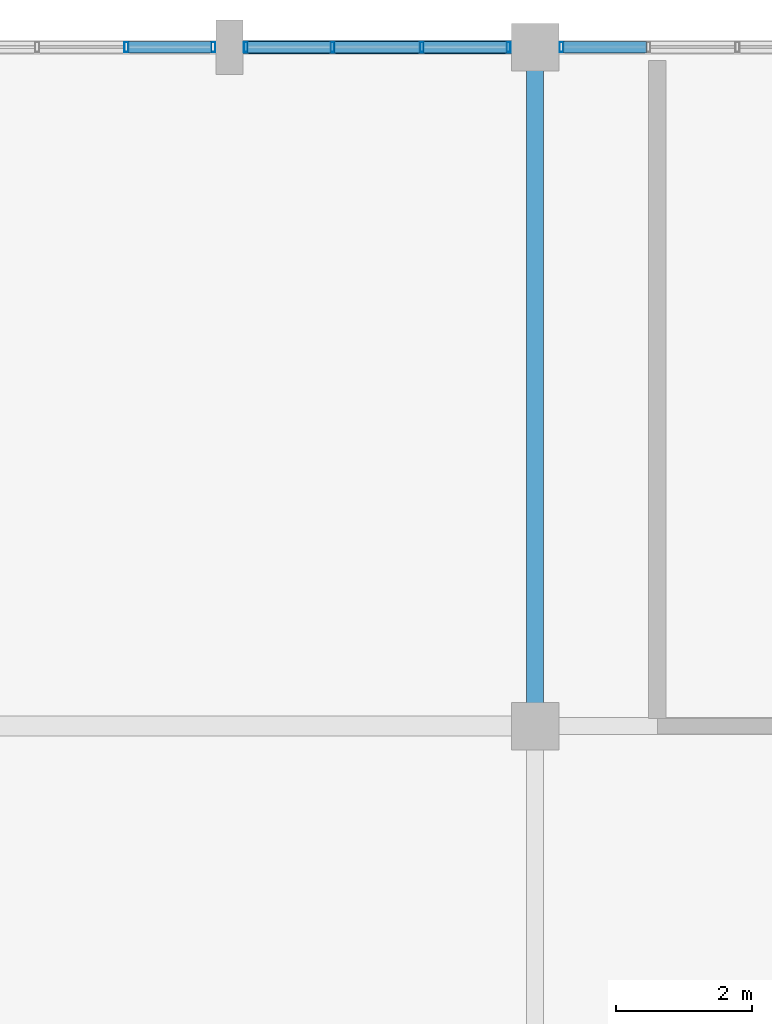
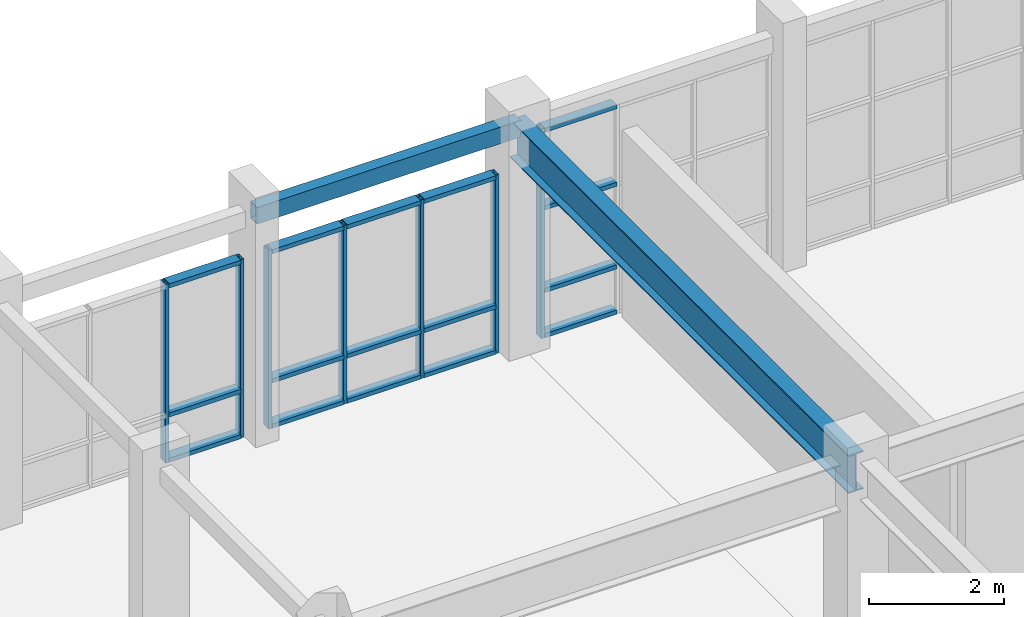
# One storey, part 30 of 55: 23 members, 2 beams, 3 elements without a shape of their own.
"""IFC4 building model written with IfcOpenShell, lengths in metres."""

from ifc_helpers import new_model, si_unit, direction, frame, origin, origin_2d, place, context, subcontext, project, spatial, hollow_rectangle, i_section, extrude, material, layer, layer_set, material_profile, profile_set, type_object, element, aggregate, save


model = new_model("IFC4")

# Units and contexts
model_context = context("Model", 3, precision=1e-05, world=origin(), true_north=direction((0.0, 1.0)))
body_context = subcontext(model_context, "Body", "Model", "MODEL_VIEW")
ifc_project = project(units=[si_unit("LENGTHUNIT", "METRE"), si_unit("AREAUNIT", "SQUARE_METRE"), si_unit("VOLUMEUNIT", "CUBIC_METRE"), si_unit("PLANEANGLEUNIT", "RADIAN"), si_unit("MASSUNIT", "GRAM", prefix="KILO")], contexts=[model_context])

# Site, building, storey
site_placement = place(None, origin())
site = spatial("IfcSite", under=ifc_project, at=site_placement, CompositionType="ELEMENT")
building_placement = place(site_placement, origin())
building = spatial("IfcBuilding", under=site, at=building_placement, Name="Ventoquebrada Cableway Terminal", CompositionType="ELEMENT")
storey_placement = place(building_placement, frame((0.0, 0.0, 14.39990234375)))
storey = spatial("IfcBuildingStorey", under=building, at=storey_placement, Name="L03", CompositionType="ELEMENT", Elevation=14.39990234375)

# Beam
ifc_material_1 = material(Name="Steel ASTM A992 Grade 50", Category="steel")
ifc_material_profile_1 = material_profile(ifc_material_1, i_section(OverallWidth=0.25390625, OverallDepth=0.68798828125, WebThickness=0.01318359375, FlangeThickness=0.02099609375, at=origin_2d()), Name="W27X102")
ifc_profile_set_1 = profile_set([ifc_material_profile_1], Name="Steel ASTM A992 Grade 50")
beam_type_1 = type_object("IfcBeamType", Name="BM-ST04", PredefinedType="BEAM", material=ifc_profile_set_1)
beam_1_placement = place(storey_placement, frame((17.199951171875, 104.0, 3.736083984375), z_axis=(0.0, 1.0, 0.0), x_axis=(-1.0, 0.0, 0.0)))
element("IfcBeam", 1, at=beam_1_placement, inside=storey, type_object=beam_type_1, Name="Primary frame girder FBM-0518", PredefinedType="BEAM", context=body_context, shape_type="SweptSolid", body=[
    extrude(i_section(OverallWidth=0.25390625, OverallDepth=0.68798828125, WebThickness=0.01318359375, FlangeThickness=0.02099609375, at=origin_2d()), origin(), (0.0, 0.0, 1.0), 10.0),
])

# Curtain wall, members
ifc_material_2 = material(Name="Anodized thermally-broken aluminium", Category="aluminium")
ifc_layer_1 = layer(ifc_material_2, 0.159912109375)
ifc_layer_set_1 = layer_set([ifc_layer_1], Name="Anodized thermally-broken aluminium")
curtain_wall_type_1 = type_object("IfcCurtainWallType", Name="CW-T21", PredefinedType="USERDEFINED", material=ifc_layer_set_1)
curtain_wall_1_placement = place(storey_placement, origin())
curtain_wall_1 = element("IfcCurtainWall", 2, at=curtain_wall_1_placement, inside=storey, type_object=curtain_wall_type_1, Name="Unitised glazed curtain wall CW-052", ObjectType="UNITISED CURTAIN WALL", PredefinedType="USERDEFINED")
ifc_material_profile_2 = material_profile(ifc_material_2, hollow_rectangle(XDim=0.06005859375, YDim=0.14990234375, WallThickness=0.00390625, at=origin_2d()), Name="CW-MUL-60X150")
ifc_profile_set_2 = profile_set([ifc_material_profile_2], Name="Anodized thermally-broken aluminium")
member_type_1 = type_object("IfcMemberType", Name="CWM-03", PredefinedType="MULLION", material=ifc_profile_set_2)
member_1_placement = place(storey_placement, frame((16.81005859375, 114.0, -0.0078125), z_axis=(0.0, 0.0, 1.0), x_axis=(-1.0, 0.0, 0.0)))
member_1 = element("IfcMember", 3, at=member_1_placement, type_object=member_type_1, Name="Curtain wall mullion FML-0232", PredefinedType="MULLION", context=body_context, shape_type="SweptSolid", body=[
    extrude(hollow_rectangle(XDim=0.06005859375, YDim=0.14990234375, WallThickness=0.00390625, at=origin_2d()), origin(), (0.0, 0.0, 1.0), 3.226806640625),
])
member_2_placement = place(storey_placement, frame((15.531982421875, 114.0, -0.0078125), z_axis=(0.0, 0.0, 1.0), x_axis=(-1.0, 0.0, 0.0)))
member_2 = element("IfcMember", 4, at=member_2_placement, type_object=member_type_1, Name="Curtain wall mullion FML-0233", PredefinedType="MULLION", context=body_context, shape_type="SweptSolid", body=[
    extrude(hollow_rectangle(XDim=0.06005859375, YDim=0.14990234375, WallThickness=0.00390625, at=origin_2d()), origin(), (0.0, 0.0, 1.0), 3.226806640625),
])
member_3_placement = place(storey_placement, frame((14.218017578125, 114.0, -0.0078125), z_axis=(0.0, 0.0, 1.0), x_axis=(-1.0, 0.0, 0.0)))
member_3 = element("IfcMember", 5, at=member_3_placement, type_object=member_type_1, Name="Curtain wall mullion FML-0234", PredefinedType="MULLION", context=body_context, shape_type="SweptSolid", body=[
    extrude(hollow_rectangle(XDim=0.06005859375, YDim=0.14990234375, WallThickness=0.00390625, at=origin_2d()), origin(), (0.0, 0.0, 1.0), 3.226806640625),
])
member_4_placement = place(storey_placement, frame((12.93994140625, 114.0, -0.0078125), z_axis=(0.0, 0.0, 1.0), x_axis=(-1.0, 0.0, 0.0)))
member_4 = element("IfcMember", 6, at=member_4_placement, type_object=member_type_1, Name="Curtain wall mullion FML-0235", PredefinedType="MULLION", context=body_context, shape_type="SweptSolid", body=[
    extrude(hollow_rectangle(XDim=0.06005859375, YDim=0.14990234375, WallThickness=0.00390625, at=origin_2d()), origin(), (0.0, 0.0, 1.0), 3.226806640625),
])

curtain_wall_2_placement = place(storey_placement, origin())
curtain_wall_2 = element("IfcCurtainWall", 7, at=curtain_wall_2_placement, inside=storey, type_object=curtain_wall_type_1, Name="Unitised glazed curtain wall CW-053", ObjectType="UNITISED CURTAIN WALL", PredefinedType="USERDEFINED")
member_5_placement = place(storey_placement, frame((12.4599609375, 114.0, -0.0078125), z_axis=(0.0, 0.0, 1.0), x_axis=(-1.0, 0.0, 0.0)))
member_5 = element("IfcMember", 8, at=member_5_placement, type_object=member_type_1, Name="Curtain wall mullion FML-0236", PredefinedType="MULLION", context=body_context, shape_type="SweptSolid", body=[
    extrude(hollow_rectangle(XDim=0.06005859375, YDim=0.14990234375, WallThickness=0.00390625, at=origin_2d()), origin(), (0.0, 0.0, 1.0), 3.226806640625),
])
member_6_placement = place(storey_placement, frame((11.181884765625, 114.0, -0.0078125), z_axis=(0.0, 0.0, 1.0), x_axis=(-1.0, 0.0, 0.0)))
member_6 = element("IfcMember", 9, at=member_6_placement, type_object=member_type_1, Name="Curtain wall mullion FML-0237", PredefinedType="MULLION", context=body_context, shape_type="SweptSolid", body=[
    extrude(hollow_rectangle(XDim=0.06005859375, YDim=0.14990234375, WallThickness=0.00390625, at=origin_2d()), origin(), (0.0, 0.0, 1.0), 3.226806640625),
])

# Curtain wall, member
ifc_layer_2 = layer(ifc_material_2, 0.159912109375)
ifc_layer_set_2 = layer_set([ifc_layer_2], Name="Anodized thermally-broken aluminium")
curtain_wall_type_2 = type_object("IfcCurtainWallType", Name="CW-T06", PredefinedType="USERDEFINED", material=ifc_layer_set_2)
curtain_wall_3_placement = place(storey_placement, origin())
curtain_wall_3 = element("IfcCurtainWall", 10, at=curtain_wall_3_placement, inside=storey, type_object=curtain_wall_type_2, Name="Unitised glazed curtain wall CW-055", ObjectType="UNITISED CURTAIN WALL", PredefinedType="USERDEFINED")
member_7_placement = place(storey_placement, frame((17.590087890625, 114.0, -0.0078125), z_axis=(0.0, 0.0, 1.0), x_axis=(-1.0, 0.0, 0.0)))
member_7 = element("IfcMember", 11, at=member_7_placement, type_object=member_type_1, Name="Curtain wall mullion FML-0247", PredefinedType="MULLION", context=body_context, shape_type="SweptSolid", body=[
    extrude(hollow_rectangle(XDim=0.06005859375, YDim=0.14990234375, WallThickness=0.00390625, at=origin_2d()), origin(), (0.0, 0.0, 1.0), 3.787841796875),
])

# Member
ifc_material_profile_3 = material_profile(ifc_material_2, hollow_rectangle(XDim=0.074951171875, YDim=0.169921875, WallThickness=0.00439453125, at=origin_2d()), Name="CW-TRN-75X170")
ifc_profile_set_3 = profile_set([ifc_material_profile_3], Name="Anodized thermally-broken aluminium")
member_type_2 = type_object("IfcMemberType", Name="CWT-03", PredefinedType="USERDEFINED", material=ifc_profile_set_3)
member_8_placement = place(storey_placement, frame((16.784912109375, 114.0, 0.03515625), z_axis=(-1.0, 0.0, 0.0), x_axis=(0.0, 0.0, 1.0)))
member_8 = element("IfcMember", 12, at=member_8_placement, type_object=member_type_2, Name="Curtain wall transom FTR-0696", ObjectType="TRANSOM", PredefinedType="USERDEFINED", context=body_context, shape_type="SweptSolid", body=[
    extrude(hollow_rectangle(XDim=0.074951171875, YDim=0.169921875, WallThickness=0.00439453125, at=origin_2d()), origin(), (0.0, 0.0, 1.0), 1.22802734375),
])

member_9_placement = place(storey_placement, frame((16.784912109375, 114.0, 0.85009765625), z_axis=(-1.0, 0.0, 0.0), x_axis=(0.0, 0.0, 1.0)))
member_9 = element("IfcMember", 13, at=member_9_placement, type_object=member_type_2, Name="Curtain wall transom FTR-0697", ObjectType="TRANSOM", PredefinedType="USERDEFINED", context=body_context, shape_type="SweptSolid", body=[
    extrude(hollow_rectangle(XDim=0.074951171875, YDim=0.169921875, WallThickness=0.00439453125, at=origin_2d()), origin(), (0.0, 0.0, 1.0), 1.22802734375),
])

member_10_placement = place(storey_placement, frame((16.784912109375, 114.0, 3.17919921875), z_axis=(-1.0, 0.0, 0.0), x_axis=(0.0, 0.0, 1.0)))
member_10 = element("IfcMember", 14, at=member_10_placement, type_object=member_type_2, Name="Curtain wall transom FTR-0698", ObjectType="TRANSOM", PredefinedType="USERDEFINED", context=body_context, shape_type="SweptSolid", body=[
    extrude(hollow_rectangle(XDim=0.074951171875, YDim=0.169921875, WallThickness=0.00439453125, at=origin_2d()), origin(), (0.0, 0.0, 1.0), 1.22802734375),
])

member_11_placement = place(storey_placement, frame((15.507080078125, 114.0, 0.03515625), z_axis=(-1.0, 0.0, 0.0), x_axis=(0.0, 0.0, 1.0)))
member_11 = element("IfcMember", 15, at=member_11_placement, type_object=member_type_2, Name="Curtain wall transom FTR-0699", ObjectType="TRANSOM", PredefinedType="USERDEFINED", context=body_context, shape_type="SweptSolid", body=[
    extrude(hollow_rectangle(XDim=0.074951171875, YDim=0.169921875, WallThickness=0.00439453125, at=origin_2d()), origin(), (0.0, 0.0, 1.0), 1.26416015625),
])

member_12_placement = place(storey_placement, frame((15.507080078125, 114.0, 0.85009765625), z_axis=(-1.0, 0.0, 0.0), x_axis=(0.0, 0.0, 1.0)))
member_12 = element("IfcMember", 16, at=member_12_placement, type_object=member_type_2, Name="Curtain wall transom FTR-0700", ObjectType="TRANSOM", PredefinedType="USERDEFINED", context=body_context, shape_type="SweptSolid", body=[
    extrude(hollow_rectangle(XDim=0.074951171875, YDim=0.169921875, WallThickness=0.00439453125, at=origin_2d()), origin(), (0.0, 0.0, 1.0), 1.26416015625),
])

member_13_placement = place(storey_placement, frame((15.507080078125, 114.0, 3.17919921875), z_axis=(-1.0, 0.0, 0.0), x_axis=(0.0, 0.0, 1.0)))
member_13 = element("IfcMember", 17, at=member_13_placement, type_object=member_type_2, Name="Curtain wall transom FTR-0701", ObjectType="TRANSOM", PredefinedType="USERDEFINED", context=body_context, shape_type="SweptSolid", body=[
    extrude(hollow_rectangle(XDim=0.074951171875, YDim=0.169921875, WallThickness=0.00439453125, at=origin_2d()), origin(), (0.0, 0.0, 1.0), 1.26416015625),
])

member_14_placement = place(storey_placement, frame((14.193115234375, 114.0, 0.03515625), z_axis=(-1.0, 0.0, 0.0), x_axis=(0.0, 0.0, 1.0)))
member_14 = element("IfcMember", 18, at=member_14_placement, type_object=member_type_2, Name="Curtain wall transom FTR-0702", ObjectType="TRANSOM", PredefinedType="USERDEFINED", context=body_context, shape_type="SweptSolid", body=[
    extrude(hollow_rectangle(XDim=0.074951171875, YDim=0.169921875, WallThickness=0.00439453125, at=origin_2d()), origin(), (0.0, 0.0, 1.0), 1.22802734375),
])

member_15_placement = place(storey_placement, frame((14.193115234375, 114.0, 0.85009765625), z_axis=(-1.0, 0.0, 0.0), x_axis=(0.0, 0.0, 1.0)))
member_15 = element("IfcMember", 19, at=member_15_placement, type_object=member_type_2, Name="Curtain wall transom FTR-0703", ObjectType="TRANSOM", PredefinedType="USERDEFINED", context=body_context, shape_type="SweptSolid", body=[
    extrude(hollow_rectangle(XDim=0.074951171875, YDim=0.169921875, WallThickness=0.00439453125, at=origin_2d()), origin(), (0.0, 0.0, 1.0), 1.22802734375),
])

member_16_placement = place(storey_placement, frame((14.193115234375, 114.0, 3.17919921875), z_axis=(-1.0, 0.0, 0.0), x_axis=(0.0, 0.0, 1.0)))
member_16 = element("IfcMember", 20, at=member_16_placement, type_object=member_type_2, Name="Curtain wall transom FTR-0704", ObjectType="TRANSOM", PredefinedType="USERDEFINED", context=body_context, shape_type="SweptSolid", body=[
    extrude(hollow_rectangle(XDim=0.074951171875, YDim=0.169921875, WallThickness=0.00439453125, at=origin_2d()), origin(), (0.0, 0.0, 1.0), 1.22802734375),
])

aggregate(curtain_wall_1, [member_1, member_2, member_3, member_4, member_8, member_9, member_10, member_11, member_12, member_13, member_14, member_15, member_16])

member_17_placement = place(storey_placement, frame((12.43505859375, 114.0, 0.03515625), z_axis=(-1.0, 0.0, 0.0), x_axis=(0.0, 0.0, 1.0)))
member_17 = element("IfcMember", 21, at=member_17_placement, type_object=member_type_2, Name="Curtain wall transom FTR-0705", ObjectType="TRANSOM", PredefinedType="USERDEFINED", context=body_context, shape_type="SweptSolid", body=[
    extrude(hollow_rectangle(XDim=0.074951171875, YDim=0.169921875, WallThickness=0.00439453125, at=origin_2d()), origin(), (0.0, 0.0, 1.0), 1.22802734375),
])

member_18_placement = place(storey_placement, frame((12.43505859375, 114.0, 0.85009765625), z_axis=(-1.0, 0.0, 0.0), x_axis=(0.0, 0.0, 1.0)))
member_18 = element("IfcMember", 22, at=member_18_placement, type_object=member_type_2, Name="Curtain wall transom FTR-0706", ObjectType="TRANSOM", PredefinedType="USERDEFINED", context=body_context, shape_type="SweptSolid", body=[
    extrude(hollow_rectangle(XDim=0.074951171875, YDim=0.169921875, WallThickness=0.00439453125, at=origin_2d()), origin(), (0.0, 0.0, 1.0), 1.22802734375),
])

member_19_placement = place(storey_placement, frame((12.43505859375, 114.0, 3.17919921875), z_axis=(-1.0, 0.0, 0.0), x_axis=(0.0, 0.0, 1.0)))
member_19 = element("IfcMember", 23, at=member_19_placement, type_object=member_type_2, Name="Curtain wall transom FTR-0707", ObjectType="TRANSOM", PredefinedType="USERDEFINED", context=body_context, shape_type="SweptSolid", body=[
    extrude(hollow_rectangle(XDim=0.074951171875, YDim=0.169921875, WallThickness=0.00439453125, at=origin_2d()), origin(), (0.0, 0.0, 1.0), 1.22802734375),
])

aggregate(curtain_wall_2, [member_5, member_6, member_17, member_18, member_19])

member_20_placement = place(storey_placement, frame((18.843017578125, 114.0, 0.03515625), z_axis=(-1.0, 0.0, 0.0), x_axis=(0.0, 0.0, 1.0)))
member_20 = element("IfcMember", 24, at=member_20_placement, type_object=member_type_2, Name="Curtain wall transom FTR-0734", ObjectType="TRANSOM", PredefinedType="USERDEFINED", context=body_context, shape_type="SweptSolid", body=[
    extrude(hollow_rectangle(XDim=0.074951171875, YDim=0.169921875, WallThickness=0.00439453125, at=origin_2d()), origin(), (0.0, 0.0, 1.0), 1.22802734375),
])

member_21_placement = place(storey_placement, frame((18.843017578125, 114.0, 0.85009765625), z_axis=(-1.0, 0.0, 0.0), x_axis=(0.0, 0.0, 1.0)))
member_21 = element("IfcMember", 25, at=member_21_placement, type_object=member_type_2, Name="Curtain wall transom FTR-0735", ObjectType="TRANSOM", PredefinedType="USERDEFINED", context=body_context, shape_type="SweptSolid", body=[
    extrude(hollow_rectangle(XDim=0.074951171875, YDim=0.169921875, WallThickness=0.00439453125, at=origin_2d()), origin(), (0.0, 0.0, 1.0), 1.22802734375),
])

member_22_placement = place(storey_placement, frame((18.843017578125, 114.0, 2.341064453125), z_axis=(-1.0, 0.0, 0.0), x_axis=(0.0, 0.0, 1.0)))
member_22 = element("IfcMember", 26, at=member_22_placement, type_object=member_type_2, Name="Curtain wall transom FTR-0736", ObjectType="TRANSOM", PredefinedType="USERDEFINED", context=body_context, shape_type="SweptSolid", body=[
    extrude(hollow_rectangle(XDim=0.074951171875, YDim=0.169921875, WallThickness=0.00439453125, at=origin_2d()), origin(), (0.0, 0.0, 1.0), 1.22802734375),
])

member_23_placement = place(storey_placement, frame((18.843017578125, 114.0, 3.739990234375), z_axis=(-1.0, 0.0, 0.0), x_axis=(0.0, 0.0, 1.0)))
member_23 = element("IfcMember", 27, at=member_23_placement, type_object=member_type_2, Name="Curtain wall transom FTR-0737", ObjectType="TRANSOM", PredefinedType="USERDEFINED", context=body_context, shape_type="SweptSolid", body=[
    extrude(hollow_rectangle(XDim=0.074951171875, YDim=0.169921875, WallThickness=0.00439453125, at=origin_2d()), origin(), (0.0, 0.0, 1.0), 1.22802734375),
])

aggregate(curtain_wall_3, [member_7, member_20, member_21, member_22, member_23])

# Beam
ifc_material_3 = material(Name="Steel ASTM A500 Grade C", Category="steel")
ifc_material_profile_4 = material_profile(ifc_material_3, hollow_rectangle(XDim=0.199951171875, YDim=0.300048828125, WallThickness=0.012451171875, at=origin_2d()), Name="RHS300X200X12.5")
ifc_profile_set_4 = profile_set([ifc_material_profile_4], Name="Steel ASTM A500 Grade C")
beam_type_2 = type_object("IfcBeamType", Name="SP-ST02", PredefinedType="SPANDREL", material=ifc_profile_set_4)
beam_2_placement = place(storey_placement, frame((12.699951171875, 114.0, 3.93017578125), z_axis=(1.0, 0.0, 0.0), x_axis=(0.0, 1.0, 0.0)))
element("IfcBeam", 28, at=beam_2_placement, inside=storey, type_object=beam_type_2, Name="Perimeter spandrel beam FBM-0502", PredefinedType="SPANDREL", context=body_context, shape_type="SweptSolid", body=[
    extrude(hollow_rectangle(XDim=0.199951171875, YDim=0.300048828125, WallThickness=0.012451171875, at=origin_2d()), origin(), (0.0, 0.0, 1.0), 4.5),
])

save(model, "model.ifc")
